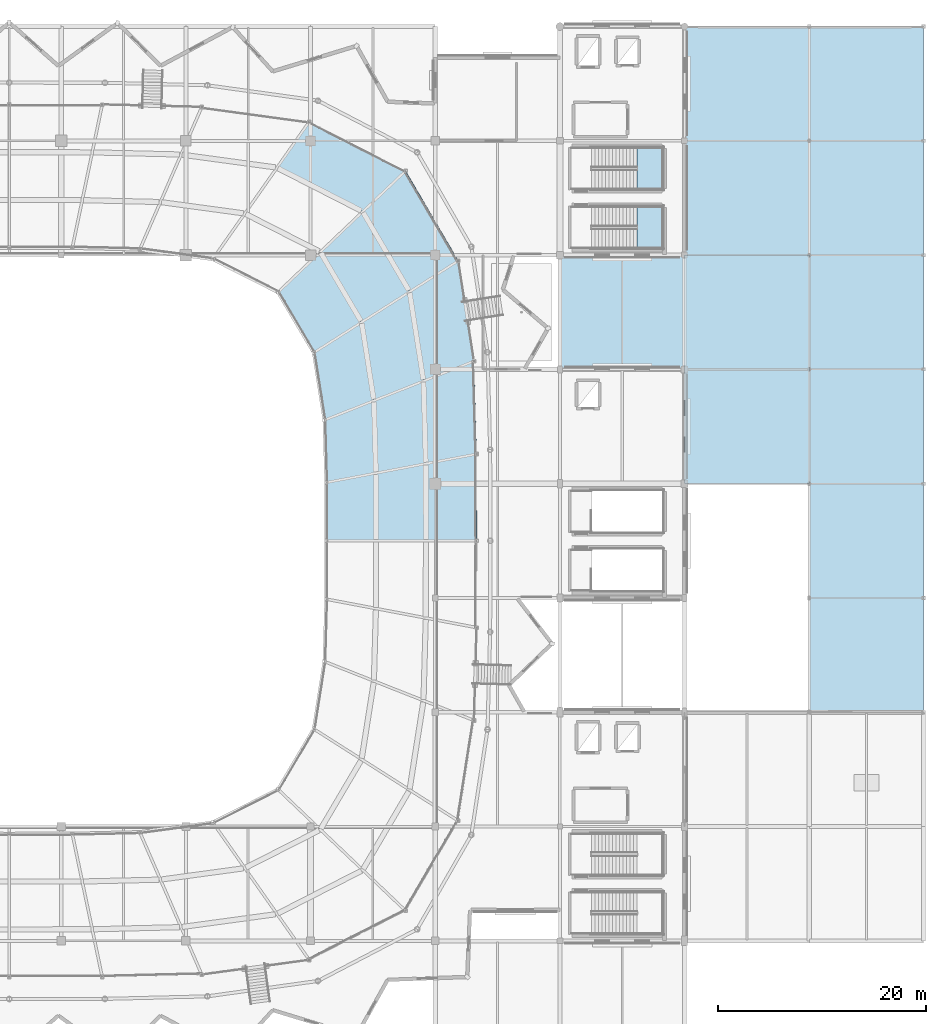
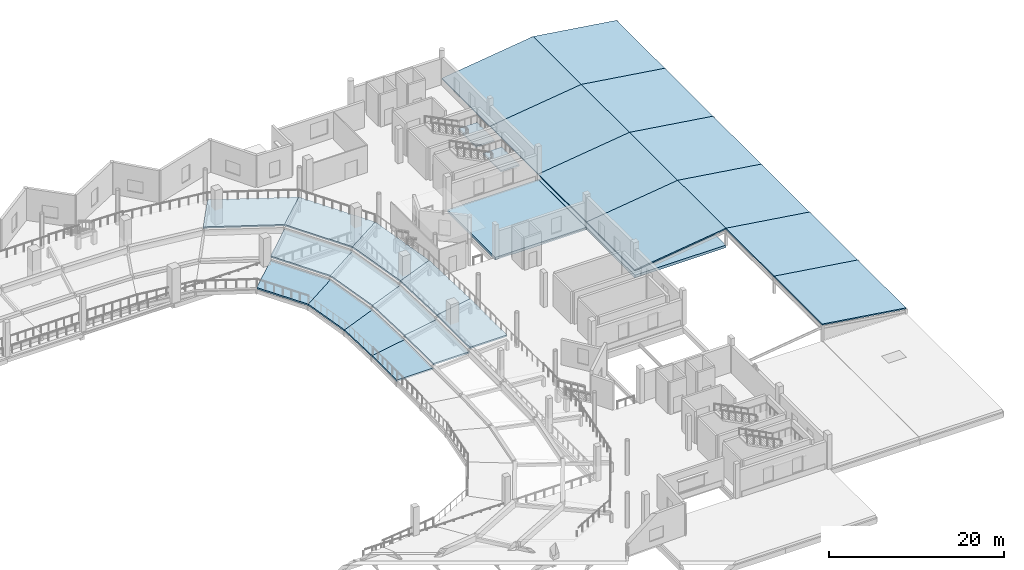
# One storey, part 37 of 77: 27 slabs, 2 elements without a shape of their own.
"""IFC4 building model written with IfcOpenShell, lengths in metres."""

from ifc_helpers import new_model, si_unit, direction, frame, origin, place, context, subcontext, project, spatial, polyline, outline, extrude, material, layer, layer_set, type_object, element, aggregate, save


model = new_model("IFC4")

# Units and contexts
model_context = context("Model", 3, precision=1e-05, world=origin(), true_north=direction((0.0, 1.0)))
body_context = subcontext(model_context, "Body", "Model", "MODEL_VIEW")
ifc_project = project(units=[si_unit("LENGTHUNIT", "METRE"), si_unit("AREAUNIT", "SQUARE_METRE"), si_unit("VOLUMEUNIT", "CUBIC_METRE"), si_unit("PLANEANGLEUNIT", "RADIAN"), si_unit("MASSUNIT", "GRAM", prefix="KILO")], contexts=[model_context])

# Site, building, storey
site_placement = place(None, origin())
site = spatial("IfcSite", under=ifc_project, at=site_placement, CompositionType="ELEMENT")
building_placement = place(site_placement, origin())
building = spatial("IfcBuilding", under=site, at=building_placement, Name="Luwafu Chhajja Arena", CompositionType="ELEMENT")
storey_placement = place(building_placement, frame((0.0, 0.0, 14.699951171875)))
storey = spatial("IfcBuildingStorey", under=building, at=storey_placement, Name="L03", CompositionType="ELEMENT", Elevation=14.699951171875)

# Slabs
ifc_material_1 = material(Name="Precast concrete C40/50", Category="concrete")
ifc_layer_1 = layer(ifc_material_1, 0.169921875, Name="Precast concrete C40/50")
ifc_layer_set_1 = layer_set([ifc_layer_1], Name="Precast concrete C40/50")
slab_type_1 = type_object("IfcSlabType", Name="Colonnade Sloped Chhajja Roof Slab 170", PredefinedType="ROOF", material=ifc_layer_set_1)
for number, where, z_axis, x_axis, name in (
    (1, (176.0, 33.0, 2.35009765625), (0.143948449067, 0.0, 0.98958518785), (0.98958518785, 0.0, -0.143948449067), "L03 East Pavilion Sloped Chhajja Roof E 3"),
    (2, (176.0, 44.0, 2.35009765625), (0.143948449067, 0.0, 0.98958518785), (0.98958518785, 0.0, -0.143948449067), "L03 East Pavilion Sloped Chhajja Roof E 4"),
    (3, (176.0, 55.0, 2.35009765625), (0.143948449067, 0.0, 0.98958518785), (0.98958518785, 0.0, -0.143948449067), "L03 East Pavilion Sloped Chhajja Roof E 5"),
):
    element("IfcSlab", number, at=place(storey_placement, frame(where, z_axis=z_axis, x_axis=x_axis)), inside=storey, type_object=slab_type_1, Name=name, PredefinedType="ROOF", context=body_context, shape_type="SweptSolid", body=[
        extrude(outline(polyline([(0.0, 0.0), (11.115768642317846, 0.0), (11.115768642317846, 11.0), (0.0, 11.0), (0.0, 0.0)])), origin(), (0.0, 0.0, -1.0), 0.169921875),
    ])
slab_1_placement = place(storey_placement, frame((164.0, 55.0, 0.75), z_axis=(-0.13217164581, 0.0, 0.991226843888), x_axis=(0.991226843888, 0.0, 0.13217164581)))
element("IfcSlab", 4, at=slab_1_placement, inside=storey, type_object=slab_type_1, Name="L03 East Pavilion Sloped Chhajja Roof W 5", PredefinedType="ROOF", context=body_context, shape_type="SweptSolid", body=[
    extrude(outline(polyline([(0.0, 0.0), (12.106209667337533, 0.0), (12.106209667337533, 11.0), (0.0, 11.0), (0.0, 0.0)])), origin(), (0.0, 0.0, -1.0), 0.169921875),
])
slab_2_placement = place(storey_placement, frame((176.0, 66.0, 2.35009765625), z_axis=(0.143948449067, 0.0, 0.98958518785), x_axis=(0.98958518785, 0.0, -0.143948449067)))
element("IfcSlab", 5, at=slab_2_placement, inside=storey, type_object=slab_type_1, Name="L03 East Pavilion Sloped Chhajja Roof E 6", PredefinedType="ROOF", context=body_context, shape_type="SweptSolid", body=[
    extrude(outline(polyline([(0.0, 0.0), (11.115768642317846, 0.0), (11.115768642317846, 11.0), (0.0, 11.0), (0.0, 0.0)])), origin(), (0.0, 0.0, -1.0), 0.169921875),
])
slab_3_placement = place(storey_placement, frame((164.0, 66.0, 0.75), z_axis=(-0.13217164581, 0.0, 0.991226843888), x_axis=(0.991226843888, 0.0, 0.13217164581)))
element("IfcSlab", 6, at=slab_3_placement, inside=storey, type_object=slab_type_1, Name="L03 East Pavilion Sloped Chhajja Roof W 6", PredefinedType="ROOF", context=body_context, shape_type="SweptSolid", body=[
    extrude(outline(polyline([(0.0, 0.0), (12.106209667337533, 0.0), (12.106209667337533, 11.0), (0.0, 11.0), (0.0, 0.0)])), origin(), (0.0, 0.0, -1.0), 0.169921875),
])
slab_4_placement = place(storey_placement, frame((176.0, 77.0, 2.35009765625), z_axis=(0.143948449067, 0.0, 0.98958518785), x_axis=(0.98958518785, 0.0, -0.143948449067)))
element("IfcSlab", 7, at=slab_4_placement, inside=storey, type_object=slab_type_1, Name="L03 East Pavilion Sloped Chhajja Roof E 7", PredefinedType="ROOF", context=body_context, shape_type="SweptSolid", body=[
    extrude(outline(polyline([(0.0, 0.0), (11.115768642317846, 0.0), (11.115768642317846, 11.0), (0.0, 11.0), (0.0, 0.0)])), origin(), (0.0, 0.0, -1.0), 0.169921875),
])
slab_5_placement = place(storey_placement, frame((164.0, 77.0, 0.75), z_axis=(-0.13217164581, 0.0, 0.991226843888), x_axis=(0.991226843888, 0.0, 0.13217164581)))
element("IfcSlab", 8, at=slab_5_placement, inside=storey, type_object=slab_type_1, Name="L03 East Pavilion Sloped Chhajja Roof W 7", PredefinedType="ROOF", context=body_context, shape_type="SweptSolid", body=[
    extrude(outline(polyline([(0.0, 0.0), (12.106209667337533, 0.0), (12.106209667337533, 11.0), (0.0, 11.0), (0.0, 0.0)])), origin(), (0.0, 0.0, -1.0), 0.169921875),
])
slab_6_placement = place(storey_placement, frame((176.0, 88.0, 2.35009765625), z_axis=(0.143948449067, 0.0, 0.98958518785), x_axis=(0.98958518785, 0.0, -0.143948449067)))
element("IfcSlab", 9, at=slab_6_placement, inside=storey, type_object=slab_type_1, Name="L03 East Pavilion Sloped Chhajja Roof E 8", PredefinedType="ROOF", context=body_context, shape_type="SweptSolid", body=[
    extrude(outline(polyline([(0.0, 0.0), (11.115768642317846, 0.0), (11.115768642317846, 11.0), (0.0, 11.0), (0.0, 0.0)])), origin(), (0.0, 0.0, -1.0), 0.169921875),
])
slab_7_placement = place(storey_placement, frame((164.0, 88.0, 0.75), z_axis=(-0.13217164581, 0.0, 0.991226843888), x_axis=(0.991226843888, 0.0, 0.13217164581)))
element("IfcSlab", 10, at=slab_7_placement, inside=storey, type_object=slab_type_1, Name="L03 East Pavilion Sloped Chhajja Roof W 8", PredefinedType="ROOF", context=body_context, shape_type="SweptSolid", body=[
    extrude(outline(polyline([(0.0, 0.0), (12.106209667337533, 0.0), (12.106209667337533, 11.0), (0.0, 11.0), (0.0, 0.0)])), origin(), (0.0, 0.0, -1.0), 0.169921875),
])
ifc_material_2 = material(Name="Concrete C35/45", Category="concrete")
ifc_layer_2 = layer(ifc_material_2, 0.360107421875, Name="Concrete C35/45")
ifc_layer_set_2 = layer_set([ifc_layer_2], Name="Concrete C35/45")
slab_type_2 = type_object("IfcSlabType", Name="Core Overrun Structural Roof Cap 360", PredefinedType="ROOF", material=ifc_layer_set_2)
slab_8_placement = place(storey_placement, frame((0.0, 0.0, -0.35986328125)))
element("IfcSlab", 11, at=slab_8_placement, inside=storey, type_object=slab_type_2, Name="L03 Core C10 Roof Slab", PredefinedType="ROOF", context=body_context, shape_type="SweptSolid", body=[
    extrude(outline(polyline([(164.0, 55.0), (176.0, 55.0), (176.0, 77.0), (164.0, 77.0), (164.0, 55.0)])), origin(), (0.0, 0.0, 1.0), 0.35986328125),
])
slab_9_placement = place(storey_placement, frame((0.0, 0.0, -0.35986328125)))
element("IfcSlab", 12, at=slab_9_placement, inside=storey, type_object=slab_type_2, Name="L03 Podium Structural Roof Slab 06-1", PredefinedType="ROOF", context=body_context, shape_type="SweptSolid", body=[
    extrude(outline(polyline([(152.0, 66.02001953125), (152.0, 76.97998046875), (163.97998046875, 76.97998046875), (163.97998046875, 66.02001953125), (152.0, 66.02001953125)])), origin(), (0.0, 0.0, 1.0), 0.35986328125),
])

# Stair, slab
stair_type = type_object("IfcStairType", Name="Quadrant Protected Dog-Leg Stair 1920", PredefinedType="HALF_TURN_STAIR", material=ifc_material_2)
stair_1_placement = place(storey_placement, origin())
stair_1 = element("IfcStair", 13, at=stair_1_placement, inside=storey, type_object=stair_type, Name="L03 Protected Escape Stair ST-07", PredefinedType="HALF_TURN_STAIR")
ifc_layer_3 = layer(ifc_material_2, 0.199951171875, Name="Concrete C35/45")
ifc_layer_set_3 = layer_set([ifc_layer_3], Name="Concrete C35/45")
slab_type_3 = type_object("IfcSlabType", Name="Escape Stair Landing Slab 200", PredefinedType="LANDING", material=ifc_layer_set_3)
slab_10_placement = place(storey_placement, frame((0.0, 0.0, 2.199951171875)))
slab_10 = element("IfcSlab", 14, at=slab_10_placement, type_object=slab_type_3, Name="ST-07 landing 1", PredefinedType="LANDING", context=body_context, shape_type="SweptSolid", body=[
    extrude(outline(polyline([(159.43994140625, 77.64990234375), (161.89990234375, 77.64990234375), (161.89990234375, 81.68994140625), (159.43994140625, 81.68994140625), (159.43994140625, 77.64990234375)])), origin(), (0.0, 0.0, 1.0), 0.2001953125),
])
aggregate(stair_1, [slab_10])

stair_2_placement = place(storey_placement, origin())
stair_2 = element("IfcStair", 15, at=stair_2_placement, inside=storey, type_object=stair_type, Name="L03 Protected Escape Stair ST-08", PredefinedType="HALF_TURN_STAIR")
slab_11_placement = place(storey_placement, frame((0.0, 0.0, 2.199951171875)))
slab_11 = element("IfcSlab", 16, at=slab_11_placement, type_object=slab_type_3, Name="ST-08 landing 1", PredefinedType="LANDING", context=body_context, shape_type="SweptSolid", body=[
    extrude(outline(polyline([(159.43994140625, 83.31005859375), (161.89990234375, 83.31005859375), (161.89990234375, 87.35009765625), (159.43994140625, 87.35009765625), (159.43994140625, 83.31005859375)])), origin(), (0.0, 0.0, 1.0), 0.2001953125),
])
aggregate(stair_2, [slab_11])

# Slabs
ifc_layer_4 = layer(ifc_material_1, 0.2099609375, Name="Precast concrete C40/50")
ifc_layer_set_4 = layer_set([ifc_layer_4], Name="Precast concrete C40/50")
slab_type_4 = type_object("IfcSlabType", Name="Precast Upper Seating Tier Slab 210", PredefinedType="USERDEFINED", material=ifc_layer_set_4)
slab_12_placement = place(storey_placement, frame((0.0, 0.0, 0.6201171875)))
element("IfcSlab", 17, at=slab_12_placement, inside=storey, type_object=slab_type_4, Name="Stand Upper Tier Sector 01 Row Band 1", ObjectType="SEATING TIER", PredefinedType="USERDEFINED", context=body_context, shape_type="SweptSolid", body=[
    extrude(outline(polyline([(129.5, 49.5), (129.49169921875, 55.10791015625), (134.29052734375, 56.022705078125), (134.300048828125, 49.5), (129.5, 49.5)])), origin(), (0.0, 0.0, 1.0), 0.2099609375),
])
slab_13_placement = place(storey_placement, frame((0.0, 0.0, 1.219970703125)))
element("IfcSlab", 18, at=slab_13_placement, inside=storey, type_object=slab_type_4, Name="Stand Upper Tier Sector 01 Row Band 2", ObjectType="SEATING TIER", PredefinedType="USERDEFINED", context=body_context, shape_type="SweptSolid", body=[
    extrude(outline(polyline([(134.300048828125, 49.5), (134.29052734375, 56.022705078125), (139.089111328125, 56.937255859375), (139.10009765625, 49.5), (134.300048828125, 49.5)])), origin(), (0.0, 0.0, 1.0), 0.2099609375),
])
slab_14_placement = place(storey_placement, frame((0.0, 0.0, 1.820068359375)))
element("IfcSlab", 19, at=slab_14_placement, inside=storey, type_object=slab_type_4, Name="Stand Upper Tier Sector 01 Row Band 3", ObjectType="SEATING TIER", PredefinedType="USERDEFINED", context=body_context, shape_type="SweptSolid", body=[
    extrude(outline(polyline([(139.10009765625, 49.5), (139.089111328125, 56.937255859375), (143.98779296875, 57.85205078125), (144.0, 49.5), (139.10009765625, 49.5)])), origin(), (0.0, 0.0, 1.0), 0.2099609375),
])
slab_15_placement = place(storey_placement, frame((0.0, 0.0, 0.6201171875)))
element("IfcSlab", 20, at=slab_15_placement, inside=storey, type_object=slab_type_4, Name="Stand Upper Tier Sector 02 Row Band 1", ObjectType="SEATING TIER", PredefinedType="USERDEFINED", context=body_context, shape_type="SweptSolid", body=[
    extrude(outline(polyline([(129.49169921875, 55.10791015625), (129.323486328125, 61.11328125), (134.095703125, 63.007568359375), (134.29052734375, 56.022705078125), (129.49169921875, 55.10791015625)])), origin(), (0.0, 0.0, 1.0), 0.2099609375),
])
slab_16_placement = place(storey_placement, frame((0.0, 0.0, 1.219970703125)))
element("IfcSlab", 21, at=slab_16_placement, inside=storey, type_object=slab_type_4, Name="Stand Upper Tier Sector 02 Row Band 2", ObjectType="SEATING TIER", PredefinedType="USERDEFINED", context=body_context, shape_type="SweptSolid", body=[
    extrude(outline(polyline([(134.29052734375, 56.022705078125), (134.095703125, 63.007568359375), (138.867919921875, 64.90185546875), (139.089111328125, 56.937255859375), (134.29052734375, 56.022705078125)])), origin(), (0.0, 0.0, 1.0), 0.2099609375),
])
slab_17_placement = place(storey_placement, frame((0.0, 0.0, 1.820068359375)))
element("IfcSlab", 22, at=slab_17_placement, inside=storey, type_object=slab_type_4, Name="Stand Upper Tier Sector 02 Row Band 3", ObjectType="SEATING TIER", PredefinedType="USERDEFINED", context=body_context, shape_type="SweptSolid", body=[
    extrude(outline(polyline([(139.089111328125, 56.937255859375), (138.867919921875, 64.90185546875), (143.739501953125, 66.79638671875), (143.98779296875, 57.85205078125), (139.089111328125, 56.937255859375)])), origin(), (0.0, 0.0, 1.0), 0.2099609375),
])
slab_18_placement = place(storey_placement, frame((0.0, 0.0, 0.6201171875)))
element("IfcSlab", 23, at=slab_18_placement, inside=storey, type_object=slab_type_4, Name="Stand Upper Tier Sector 03 Row Band 1", ObjectType="SEATING TIER", PredefinedType="USERDEFINED", context=body_context, shape_type="SweptSolid", body=[
    extrude(outline(polyline([(129.323486328125, 61.11328125), (128.298583984375, 67.600341796875), (132.909423828125, 70.552978515625), (134.095703125, 63.007568359375), (129.323486328125, 61.11328125)])), origin(), (0.0, 0.0, 1.0), 0.2099609375),
])
slab_19_placement = place(storey_placement, frame((0.0, 0.0, 1.219970703125)))
element("IfcSlab", 24, at=slab_19_placement, inside=storey, type_object=slab_type_4, Name="Stand Upper Tier Sector 03 Row Band 2", ObjectType="SEATING TIER", PredefinedType="USERDEFINED", context=body_context, shape_type="SweptSolid", body=[
    extrude(outline(polyline([(134.095703125, 63.007568359375), (132.909423828125, 70.552978515625), (137.520263671875, 73.50537109375), (138.867919921875, 64.90185546875), (134.095703125, 63.007568359375)])), origin(), (0.0, 0.0, 1.0), 0.2099609375),
])
slab_20_placement = place(storey_placement, frame((0.0, 0.0, 1.820068359375)))
element("IfcSlab", 25, at=slab_20_placement, inside=storey, type_object=slab_type_4, Name="Stand Upper Tier Sector 03 Row Band 3", ObjectType="SEATING TIER", PredefinedType="USERDEFINED", context=body_context, shape_type="SweptSolid", body=[
    extrude(outline(polyline([(138.867919921875, 64.90185546875), (137.520263671875, 73.50537109375), (142.227294921875, 76.4580078125), (143.739501953125, 66.79638671875), (138.867919921875, 64.90185546875)])), origin(), (0.0, 0.0, 1.0), 0.2099609375),
])
slab_21_placement = place(storey_placement, frame((0.0, 0.0, 0.6201171875)))
element("IfcSlab", 26, at=slab_21_placement, inside=storey, type_object=slab_type_4, Name="Stand Upper Tier Sector 04 Row Band 1", ObjectType="SEATING TIER", PredefinedType="USERDEFINED", context=body_context, shape_type="SweptSolid", body=[
    extrude(outline(polyline([(128.298583984375, 67.600341796875), (124.85986328125, 73.409912109375), (128.9296875, 77.309814453125), (132.909423828125, 70.552978515625), (128.298583984375, 67.600341796875)])), origin(), (0.0, 0.0, 1.0), 0.2099609375),
])
slab_22_placement = place(storey_placement, frame((0.0, 0.0, 1.219970703125)))
element("IfcSlab", 27, at=slab_22_placement, inside=storey, type_object=slab_type_4, Name="Stand Upper Tier Sector 04 Row Band 2", ObjectType="SEATING TIER", PredefinedType="USERDEFINED", context=body_context, shape_type="SweptSolid", body=[
    extrude(outline(polyline([(132.909423828125, 70.552978515625), (128.9296875, 77.309814453125), (132.999267578125, 81.210205078125), (137.520263671875, 73.50537109375), (132.909423828125, 70.552978515625)])), origin(), (0.0, 0.0, 1.0), 0.2099609375),
])
slab_23_placement = place(storey_placement, frame((0.0, 0.0, 1.820068359375)))
element("IfcSlab", 28, at=slab_23_placement, inside=storey, type_object=slab_type_4, Name="Stand Upper Tier Sector 04 Row Band 3", ObjectType="SEATING TIER", PredefinedType="USERDEFINED", context=body_context, shape_type="SweptSolid", body=[
    extrude(outline(polyline([(137.520263671875, 73.50537109375), (132.999267578125, 81.210205078125), (137.15380859375, 85.1103515625), (142.227294921875, 76.4580078125), (137.520263671875, 73.50537109375)])), origin(), (0.0, 0.0, 1.0), 0.2099609375),
])
slab_24_placement = place(storey_placement, frame((0.0, 0.0, 1.820068359375)))
element("IfcSlab", 29, at=slab_24_placement, inside=storey, type_object=slab_type_4, Name="Stand Upper Tier Sector 05 Row Band 3", ObjectType="SEATING TIER", PredefinedType="USERDEFINED", context=body_context, shape_type="SweptSolid", body=[
    extrude(outline(polyline([(132.999267578125, 81.210205078125), (124.73828125, 85.4267578125), (127.883544921875, 89.845458984375), (137.15380859375, 85.1103515625), (132.999267578125, 81.210205078125)])), origin(), (0.0, 0.0, 1.0), 0.2099609375),
])

save(model, "model.ifc")
